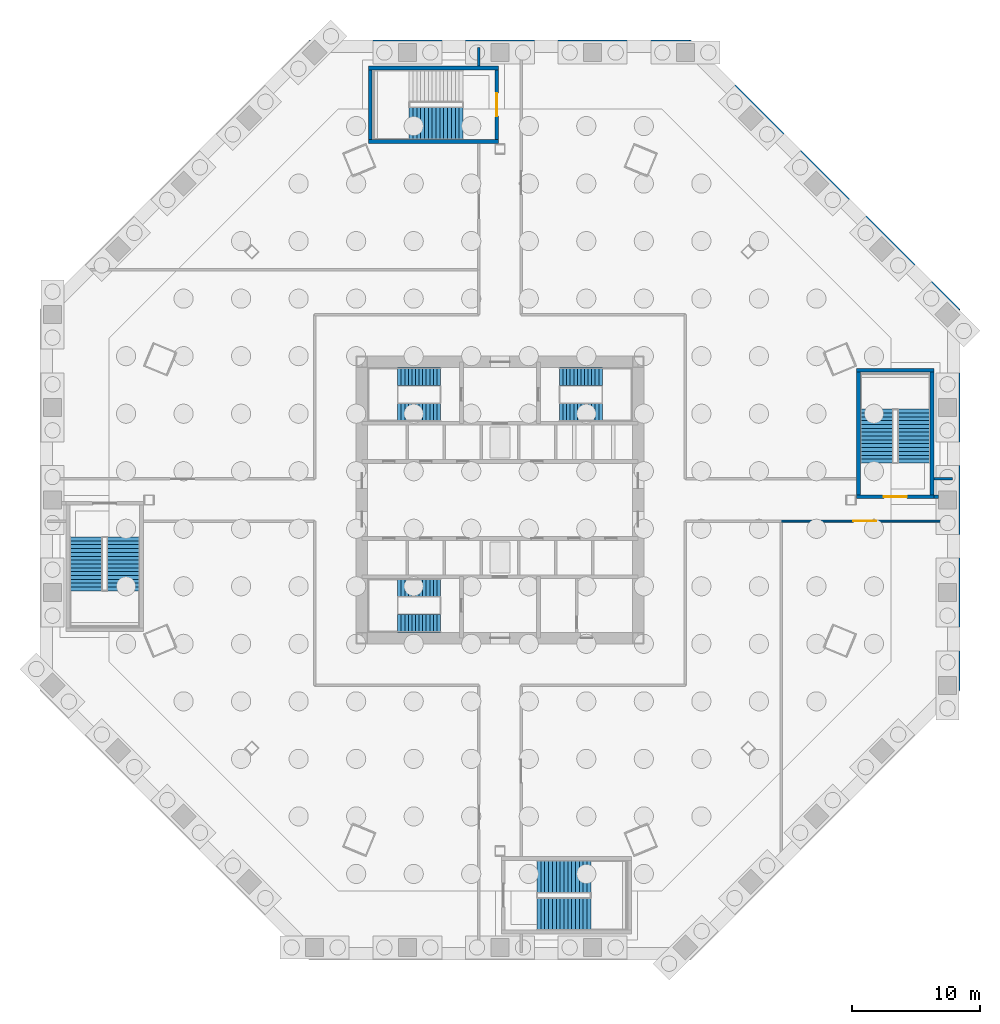
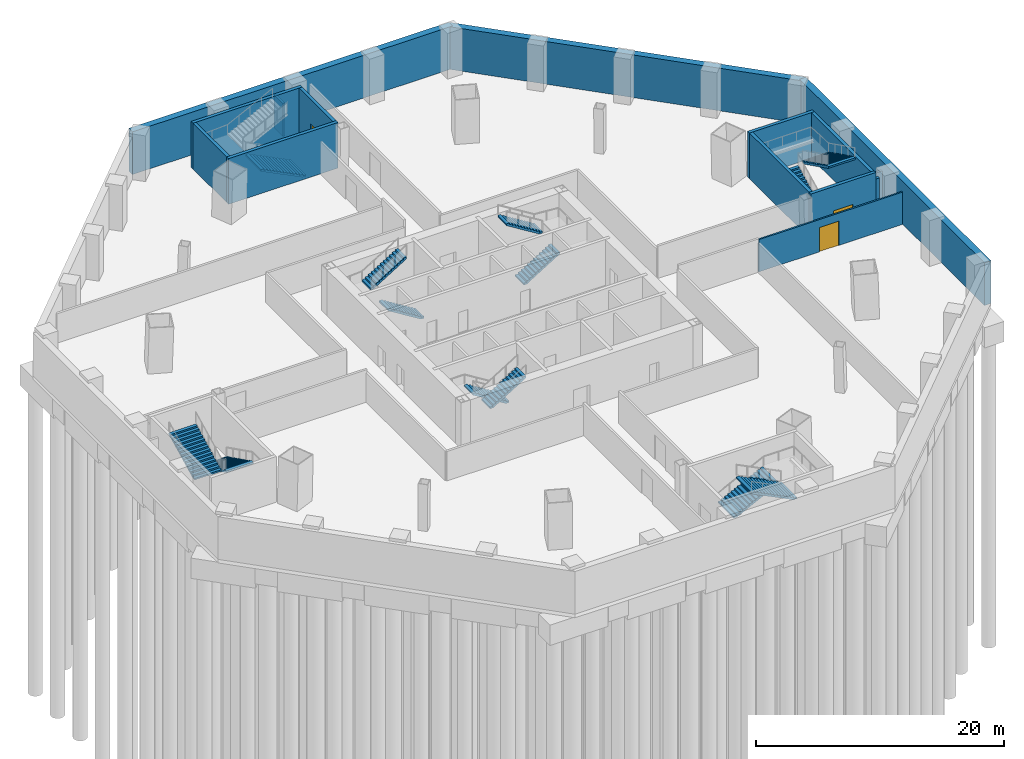
# One storey, part 6 of 11: 15 walls, 13 stair flights, 3 doors, 3 openings, 7 elements without a shape of their own.
"""IFC4 building model written with IfcOpenShell, lengths in metres."""

import ifcopenshell
import ifcopenshell.guid

model = None  # the IFC model being written
_history = None  # IfcOwnerHistory: only IFC2X3 demands one
_inside = {}  # id of a spatial element -> (the spatial element, [elements in it])
_under = {}  # id of a project, library or spatial element -> (it, [spatial elements below it])
_declared = {}  # id of a project -> (the project, [libraries it declares])
_typed = {}  # id of a type object -> (the type object, [elements of that type])
_made_of = {}  # id of a material, layer set ... -> (it, [elements and type objects made of it])


def new_model(schema):
    """Start an empty IFC model of exactly this schema.

    Asked for "IFC4X3", IfcOpenShell would pick the latest addendum, in which some entities
    have other attributes; the version numbers below select the first issue.
    IFC2X3 requires an IfcOwnerHistory on every rooted entity: one is made here for all.
    """
    global model, _history
    if schema == "IFC4X3":
        model = ifcopenshell.file(schema_version=(4, 3, 0, 0))
    else:
        model = ifcopenshell.file(schema=schema)
    _inside.clear()
    _under.clear()
    _declared.clear()
    _typed.clear()
    _made_of.clear()
    _history = None
    if model.schema == "IFC2X3":
        org = make("IfcOrganization", Name="unknown")
        user = make(
            "IfcPersonAndOrganization",
            ThePerson=make("IfcPerson", FamilyName="unknown"),
            TheOrganization=org,
        )
        app = make(
            "IfcApplication",
            ApplicationDeveloper=org,
            Version="unknown",
            ApplicationFullName="unknown",
            ApplicationIdentifier="unknown",
        )
        _history = make(
            "IfcOwnerHistory",
            OwningUser=user,
            OwningApplication=app,
            ChangeAction="ADDED",
            CreationDate=0,
        )
    return model


def make(cls, **values):
    """One entity of the class cls with the attributes given. An attribute that is None is left unset."""
    return model.create_entity(
        cls, **{name: value for name, value in values.items() if value is not None}
    )


def rooted(cls, **values):
    """An entity with a GlobalId (a new one), such as an element, a storey or a relation."""
    return make(cls, GlobalId=ifcopenshell.guid.new(), OwnerHistory=_history, **values)


def si_unit(unit_type, name, prefix=None):
    """IfcSIUnit, for example si_unit("LENGTHUNIT", "METRE", prefix="MILLI")."""
    return make("IfcSIUnit", UnitType=unit_type, Prefix=prefix, Name=name)


def assignment(units):
    """IfcUnitAssignment: the units of a project."""
    return None if units is None else make("IfcUnitAssignment", Units=units)


def point(xyz):
    """IfcCartesianPoint."""
    return None if xyz is None else make("IfcCartesianPoint", Coordinates=xyz)


def direction(xyz):
    """IfcDirection."""
    return None if xyz is None else make("IfcDirection", DirectionRatios=xyz)


def frame(location, z_axis=None, x_axis=None):
    """IfcAxis2Placement3D, a coordinate frame: its origin and axes. An axis left out is left unset."""
    return make(
        "IfcAxis2Placement3D",
        Location=point(location),
        Axis=direction(z_axis),
        RefDirection=direction(x_axis),
    )


def frame_2d(location, x_axis=None):
    """IfcAxis2Placement2D, a coordinate frame in the plane: its origin and x axis."""
    return make(
        "IfcAxis2Placement2D", Location=point(location), RefDirection=direction(x_axis)
    )


def origin():
    """The frame at (0, 0, 0) with its axes left unset."""
    return frame((0.0, 0.0, 0.0))


def place(relative_to, where):
    """IfcLocalPlacement: puts the frame where relative to a parent placement (None: the world)."""
    return make(
        "IfcLocalPlacement", PlacementRelTo=relative_to, RelativePlacement=where
    )


def context(
    kind, dimensions, precision=None, world=None, true_north=None, identifier=None
):
    """IfcGeometricRepresentationContext, for example the 3D "Model" context."""
    return make(
        "IfcGeometricRepresentationContext",
        ContextIdentifier=identifier,
        ContextType=kind,
        CoordinateSpaceDimension=dimensions,
        Precision=precision,
        WorldCoordinateSystem=world,
        TrueNorth=true_north,
    )


def subcontext(parent, identifier, kind, view, scale=None):
    """IfcGeometricRepresentationSubContext, for example "Body" below "Model"."""
    return make(
        "IfcGeometricRepresentationSubContext",
        ContextIdentifier=identifier,
        ContextType=kind,
        ParentContext=parent,
        TargetScale=scale,
        TargetView=view,
    )


def project(units=None, contexts=None):
    """IfcProject with its units and contexts."""
    return rooted(
        "IfcProject",
        Name="project",
        RepresentationContexts=contexts,
        UnitsInContext=assignment(units),
    )


def spatial(cls, under=None, at=None, **own):
    """A site, building, storey or space (cls), placed at a placement, below another one or the project."""
    s = rooted(cls, ObjectPlacement=at, **own)
    if under is not None:
        _under.setdefault(under.id(), (under, []))[1].append(s)
    return s


def polyline(points):
    """IfcPolyline through the points."""
    return make("IfcPolyline", Points=[point(p) for p in points])


def profile(cls, at=None, kind="AREA", **sizes):
    """A parametric profile (cls). Its sizes go by their IFC names, for example OverallWidth=200.0."""
    return make(cls, ProfileType=kind, Position=at, **sizes)


def rectangle(**sizes):
    """IfcRectangleProfileDef."""
    return profile("IfcRectangleProfileDef", **sizes)


def outline(outer, holes=None, kind="AREA"):
    """IfcArbitraryClosedProfileDef: a profile drawn as a closed curve; with holes, ...WithVoids."""
    if holes is None:
        return make("IfcArbitraryClosedProfileDef", ProfileType=kind, OuterCurve=outer)
    return make(
        "IfcArbitraryProfileDefWithVoids",
        ProfileType=kind,
        OuterCurve=outer,
        InnerCurves=holes,
    )


def extrude(swept, where, along, depth):
    """IfcExtrudedAreaSolid: the profile swept, set in the frame where, extruded along a direction by depth."""
    return make(
        "IfcExtrudedAreaSolid",
        SweptArea=swept,
        Position=where,
        ExtrudedDirection=direction(along),
        Depth=depth,
    )


def shape(context_of_items, identifier, shape_type, items):
    """IfcShapeRepresentation: the items that make up one representation, for example the "Body"."""
    return make(
        "IfcShapeRepresentation",
        ContextOfItems=context_of_items,
        RepresentationIdentifier=identifier,
        RepresentationType=shape_type,
        Items=items,
    )


def material(Name=None, Category=None):
    """IfcMaterial."""
    return make("IfcMaterial", Name=Name, Category=Category)


def layer(
    of_material, thickness, ventilated=None, Name=None, Category=None, Priority=None
):
    """IfcMaterialLayer: one layer of a wall or slab, of a material (None: an air gap)."""
    return make(
        "IfcMaterialLayer",
        Material=of_material,
        LayerThickness=thickness,
        IsVentilated=ventilated,
        Name=Name,
        Category=Category,
        Priority=Priority,
    )


def layer_set(layers, Name=None):
    """IfcMaterialLayerSet."""
    return make("IfcMaterialLayerSet", MaterialLayers=layers, LayerSetName=Name)


def made_of(thing, what):
    """Note that an element or type object is made of a material, layer set ...; save() writes the relation."""
    if what is not None:
        _made_of.setdefault(what.id(), (what, []))[1].append(thing)
    return thing


def type_object(cls, material=None, **own):
    """A type object (cls), such as IfcWallType, which elements share."""
    return made_of(rooted(cls, **own), material)


def element(
    cls,
    number,
    at=None,
    inside=None,
    cuts=None,
    type_object=None,
    material=None,
    context=None,
    identifier="Body",
    shape_type=None,
    held_by="IfcProductDefinitionShape",
    body=None,
    shapes=None,
    **own,
):
    """One element of the class cls, such as IfcWall. Its Tag is "e" and its number.

    at: its placement. inside: the storey or other place that contains it. cuts: it is an
    opening in that element (IfcRelVoidsElement). A single representation is given by context,
    identifier, shape_type and body (its items); several are given by shapes. held_by: the class
    of the entity that holds the representations. save() writes the other relations.
    """
    e = rooted(cls, Tag="e%d" % number, ObjectPlacement=at, **own)
    if body is not None:
        shapes = [shape(context, identifier, shape_type, body)]
    if shapes is not None:
        e.Representation = make(held_by, Representations=shapes)
    if inside is not None:
        _inside.setdefault(inside.id(), (inside, []))[1].append(e)
    if cuts is not None:
        rooted(
            "IfcRelVoidsElement", RelatingBuildingElement=cuts, RelatedOpeningElement=e
        )
    if type_object is not None:
        _typed.setdefault(type_object.id(), (type_object, []))[1].append(e)
    return made_of(e, material)


def fill(opening, filler):
    """IfcRelFillsElement: the door or window that sits in an opening."""
    return rooted(
        "IfcRelFillsElement",
        RelatingOpeningElement=opening,
        RelatedBuildingElement=filler,
    )


def aggregate(whole, parts):
    """IfcRelAggregates: a whole, such as a stair, and the parts it consists of."""
    return rooted("IfcRelAggregates", RelatingObject=whole, RelatedObjects=parts)


def save(model, path):
    """Write the relations noted so far, then the file.

    IfcRelAggregates (storeys below a building ...), IfcRelContainedInSpatialStructure (elements
    in a storey), IfcRelDefinesByType, IfcRelAssociatesMaterial and IfcRelDeclares: one each for
    every whole, place, type object, material and project.
    """
    for whole, parts in _under.values():
        aggregate(whole, parts)
    for where, things in _inside.values():
        rooted(
            "IfcRelContainedInSpatialStructure",
            RelatedElements=things,
            RelatingStructure=where,
        )
    for kind, things in _typed.values():
        rooted("IfcRelDefinesByType", RelatedObjects=things, RelatingType=kind)
    for what, things in _made_of.values():
        rooted("IfcRelAssociatesMaterial", RelatedObjects=things, RelatingMaterial=what)
    for by, libraries in _declared.values():
        rooted("IfcRelDeclares", RelatingContext=by, RelatedDefinitions=libraries)
    model.write(path)


model = new_model("IFC4")

# Units and contexts
model_context = context("Model", 3, precision=1e-05, world=origin(), true_north=direction((0.0, 1.0)))
body_context = subcontext(model_context, "Body", "Model", "MODEL_VIEW")
ifc_project = project(units=[si_unit("LENGTHUNIT", "METRE"), si_unit("AREAUNIT", "SQUARE_METRE"), si_unit("VOLUMEUNIT", "CUBIC_METRE"), si_unit("PLANEANGLEUNIT", "RADIAN"), si_unit("MASSUNIT", "GRAM", prefix="KILO")], contexts=[model_context])

# Site, building, storey
site_placement = place(None, origin())
site = spatial("IfcSite", under=ifc_project, at=site_placement, CompositionType="ELEMENT")
building_placement = place(site_placement, origin())
building = spatial("IfcBuilding", under=site, at=building_placement, Name="Mashrafa Tower", CompositionType="ELEMENT")
storey_placement = place(building_placement, frame((0.0, 0.0, -9.0)))
storey = spatial("IfcBuildingStorey", under=building, at=storey_placement, Name="B2", CompositionType="ELEMENT", Elevation=-9.0)

# Walls
ifc_material_1 = material(Name="Concrete C40/50", Category="concrete")
ifc_layer_1 = layer(ifc_material_1, 0.60009765625)
ifc_layer_set_1 = layer_set([ifc_layer_1], Name="Basement retaining wall 600")
wall_type_1 = type_object("IfcWallType", Name="Basement retaining wall 600", PredefinedType="SOLIDWALL", material=ifc_layer_set_1)
wall_1_placement = place(storey_placement, frame((35.699951171875, -14.91162109375, 0.0), z_axis=(0.0, 0.0, 1.0), x_axis=(0.0, 1.0, 0.0)))
element("IfcWall", 1, at=wall_1_placement, inside=storey, type_object=wall_type_1, Name="Basement retaining wall B2 east", PredefinedType="SOLIDWALL", context=body_context, shape_type="SweptSolid", body=[
    extrude(rectangle(XDim=29.8232421875, YDim=0.60009765625, at=frame_2d((14.91162109375, 0.0))), origin(), (0.0, 0.0, 1.0), 4.199951171875),
])
wall_2_placement = place(storey_placement, frame((35.787841796875, 14.699462890625, 0.0), z_axis=(0.0, 0.0, 1.0), x_axis=(-0.707106781187, 0.707106781187, 0.0)))
element("IfcWall", 2, at=wall_2_placement, inside=storey, type_object=wall_type_1, Name="Basement retaining wall B2 north-east", PredefinedType="SOLIDWALL", context=body_context, shape_type="SweptSolid", body=[
    extrude(rectangle(XDim=29.823486328125, YDim=0.60009765625, at=frame_2d((14.91162109375, 0.0))), origin(), (0.0, 0.0, 1.0), 4.199951171875),
])
wall_3_placement = place(storey_placement, frame((14.91162109375, 35.699951171875, 0.0), z_axis=(0.0, 0.0, 1.0), x_axis=(-1.0, 0.0, 0.0)))
element("IfcWall", 3, at=wall_3_placement, inside=storey, type_object=wall_type_1, Name="Basement retaining wall B2 north", PredefinedType="SOLIDWALL", context=body_context, shape_type="SweptSolid", body=[
    extrude(rectangle(XDim=29.8232421875, YDim=0.60009765625, at=frame_2d((14.91162109375, 0.0))), origin(), (0.0, 0.0, 1.0), 4.199951171875),
])
ifc_material_2 = material(Name="Concrete masonry unit", Category="masonry")
ifc_layer_2 = layer(ifc_material_2, 0.199951171875)
ifc_layer_set_2 = layer_set([ifc_layer_2], Name="Blockwork wall 200 2 hr")
wall_type_2 = type_object("IfcWallType", Name="Blockwork wall 200 2 hr", PredefinedType="PARTITIONING", material=ifc_layer_set_2)
for number, where, z_axis, x_axis, name in (
    (4, (35.39501953125, 1.64990234375, 0.0), (0.0, 0.0, 1.0), (-1.0, 0.0, 0.0), "Blockwork wall B2-005"),
    (5, (-1.64990234375, 35.39501953125, 0.0), (0.0, 0.0, 1.0), (0.0, -1.0, 0.0), "Blockwork wall B2-011"),
):
    element("IfcWall", number, at=place(storey_placement, frame(where, z_axis=z_axis, x_axis=x_axis)), inside=storey, type_object=wall_type_2, Name=name, PredefinedType="PARTITIONING", context=body_context, shape_type="SweptSolid", body=[
        extrude(rectangle(XDim=1.445556640625, YDim=0.199951171875, at=frame_2d((0.72265625, 0.0))), origin(), (0.0, 0.0, 1.0), 3.278076171875),
    ])

# Wall, opening, door
ifc_material_3 = material(Name="Gypsum board on steel studs", Category="steel")
ifc_layer_3 = layer(ifc_material_3, 0.14990234375)
ifc_layer_set_3 = layer_set([ifc_layer_3], Name="Corridor partition 150 1 hr")
wall_type_3 = type_object("IfcWallType", Name="Corridor partition 150 1 hr", PredefinedType="PARTITIONING", material=ifc_layer_set_3)
wall_4_placement = place(storey_placement, frame((21.9990234375, -1.64990234375, 0.0), z_axis=(0.0, 0.0, 1.0), x_axis=(1.0, 0.0, 0.0)))
wall_4 = element("IfcWall", 6, at=wall_4_placement, inside=storey, type_object=wall_type_3, Name="Corridor wall B2-022", PredefinedType="PARTITIONING", context=body_context, shape_type="SweptSolid", body=[
    extrude(rectangle(XDim=13.39599609375, YDim=0.14990234375, at=frame_2d((6.697998046875, 0.0))), origin(), (0.0, 0.0, 1.0), 3.17919921875),
])
opening_1_placement = place(wall_4_placement, frame((5.650390625, 0.0, 0.0)))
opening_1 = element("IfcOpeningElement", 7, at=opening_1_placement, cuts=wall_4, Name="Opening B2.006", PredefinedType="OPENING", context=body_context, shape_type="SweptSolid", body=[
    extrude(rectangle(XDim=1.800048828125, YDim=2.39990234375, at=frame_2d((0.89990234375, 1.199951171875))), frame((0.0, 0.0849609375, 0.0), z_axis=(0.0, -1.0, 0.0), x_axis=(1.0, 0.0, 0.0)), (0.0, 0.0, 1.0), 0.169921875),
])
ifc_material_4 = material(Name="Steel door", Category="steel")
door_type_1 = type_object("IfcDoorType", Name="Door pair 1800 x 2400 90 min", OperationType="DOUBLE_DOOR_SINGLE_SWING", PredefinedType="DOOR", material=ifc_material_4)
door_1_placement = place(opening_1_placement, frame((1.800048828125, 0.0, 0.0), z_axis=(0.0, 0.0, 1.0), x_axis=(-1.0, 0.0, 0.0)))
door_1 = element("IfcDoor", 8, at=door_1_placement, inside=storey, type_object=door_type_1, Name="Building Storage Room B2 door", OperationType="DOUBLE_DOOR_SINGLE_SWING", OverallHeight=2.39990234375, OverallWidth=1.800048828125, PredefinedType="DOOR", context=body_context, shape_type="SweptSolid", body=[
    extrude(rectangle(XDim=1.800048828125, YDim=2.39990234375, at=frame_2d((0.89990234375, 1.199951171875))), frame((0.0, 0.02490234375, 0.0), z_axis=(0.0, -1.0, 0.0), x_axis=(1.0, 0.0, 0.0)), (0.0, 0.0, 1.0), 0.050048828125),
])
fill(opening_1, door_1)

ifc_material_5 = material(Name="Concrete C35/45", Category="concrete")
ifc_layer_4 = layer(ifc_material_5, 0.300048828125)
ifc_layer_set_4 = layer_set([ifc_layer_4], Name="Stair core wall 300 3 hr")
wall_type_4 = type_object("IfcWallType", Name="Stair core wall 300 3 hr", PredefinedType="SOLIDWALL", material=ifc_layer_set_4)
wall_5_placement = place(storey_placement, frame((27.89990234375, 0.25, 0.0), z_axis=(0.0, 0.0, 1.0), x_axis=(1.0, 0.0, 0.0)))
wall_5 = element("IfcWall", 9, at=wall_5_placement, inside=storey, type_object=wall_type_4, Name="Stair P1 core wall S B2", PredefinedType="SOLIDWALL", context=body_context, shape_type="SweptSolid", body=[
    extrude(rectangle(XDim=6.050048828125, YDim=0.300048828125, at=frame_2d((3.02490234375, 0.0))), origin(), (0.0, 0.0, 1.0), 4.5),
])
opening_2_placement = place(wall_5_placement, frame((2.125, 0.0, 0.0)))
opening_2 = element("IfcOpeningElement", 10, at=opening_2_placement, cuts=wall_5, Name="Opening B2.028", PredefinedType="OPENING", context=body_context, shape_type="SweptSolid", body=[
    extrude(rectangle(XDim=1.800048828125, YDim=2.10009765625, at=frame_2d((0.89990234375, 1.050048828125))), frame((0.0, 0.159912109375, 0.0), z_axis=(0.0, -1.0, 0.0), x_axis=(1.0, 0.0, 0.0)), (0.0, 0.0, 1.0), 0.320068359375),
])
ifc_material_6 = material(Name="Steel door", Category="steel")
door_type_2 = type_object("IfcDoorType", Name="Stair door pair 1800 x 2100 90 min", OperationType="DOUBLE_DOOR_SINGLE_SWING", PredefinedType="DOOR", material=ifc_material_6)
door_2_placement = place(opening_2_placement, origin())
door_2 = element("IfcDoor", 11, at=door_2_placement, inside=storey, type_object=door_type_2, Name="Stair P1 door B2", OperationType="DOUBLE_DOOR_SINGLE_SWING", OverallHeight=2.10009765625, OverallWidth=1.800048828125, PredefinedType="DOOR", context=body_context, shape_type="SweptSolid", body=[
    extrude(rectangle(XDim=1.800048828125, YDim=2.10009765625, at=frame_2d((0.89990234375, 1.050048828125))), frame((0.0, 0.02490234375, 0.0), z_axis=(0.0, -1.0, 0.0), x_axis=(1.0, 0.0, 0.0)), (0.0, 0.0, 1.0), 0.050048828125),
])
fill(opening_2, door_2)

# Walls
wall_6_placement = place(storey_placement, frame((33.949951171875, 0.25, 0.0), z_axis=(0.0, 0.0, 1.0), x_axis=(1.0, 0.0, 0.0)))
element("IfcWall", 12, at=wall_6_placement, inside=storey, type_object=wall_type_4, Name="Stair P1 core wall S B2 end piece 2", PredefinedType="SOLIDWALL", context=body_context, shape_type="SweptSolid", body=[
    extrude(rectangle(XDim=0.35009765625, YDim=0.300048828125, at=frame_2d((0.175048828125, 0.0))), origin(), (0.0, 0.0, 1.0), 3.844482421875),
])
wall_7_placement = place(storey_placement, frame((33.949951171875, 10.14990234375, 0.0), z_axis=(0.0, 0.0, 1.0), x_axis=(-1.0, 0.0, 0.0)))
element("IfcWall", 13, at=wall_7_placement, inside=storey, type_object=wall_type_4, Name="Stair P1 core wall N B2", PredefinedType="SOLIDWALL", context=body_context, shape_type="SweptSolid", body=[
    extrude(rectangle(XDim=6.050048828125, YDim=0.300048828125, at=frame_2d((3.02490234375, 0.0))), origin(), (0.0, 0.0, 1.0), 4.5),
])
for number, where, z_axis, x_axis, name in (
    (14, (28.050048828125, 10.0, 0.0), (0.0, 0.0, 1.0), (0.0, -1.0, 0.0), "Stair P1 core wall W B2"),
    (15, (33.800048828125, 0.39990234375, 0.0), (0.0, 0.0, 1.0), (0.0, 1.0, 0.0), "Stair P1 core wall E B2"),
):
    element("IfcWall", number, at=place(storey_placement, frame(where, z_axis=z_axis, x_axis=x_axis)), inside=storey, type_object=wall_type_4, Name=name, PredefinedType="SOLIDWALL", context=body_context, shape_type="SweptSolid", body=[
        extrude(rectangle(XDim=9.60009765625, YDim=0.300048828125, at=frame_2d((4.800048828125, 0.0))), origin(), (0.0, 0.0, 1.0), 4.5),
    ])
for number, where, z_axis, x_axis, name in (
    (16, (-10.300048828125, 28.050048828125, 0.0), (0.0, 0.0, 1.0), (1.0, 0.0, 0.0), "Stair P2 core wall S B2"),
    (17, (-0.10009765625, 33.800048828125, 0.0), (0.0, 0.0, 1.0), (-1.0, 0.0, 0.0), "Stair P2 core wall N B2"),
):
    element("IfcWall", number, at=place(storey_placement, frame(where, z_axis=z_axis, x_axis=x_axis)), inside=storey, type_object=wall_type_4, Name=name, PredefinedType="SOLIDWALL", context=body_context, shape_type="SweptSolid", body=[
        extrude(rectangle(XDim=10.199951171875, YDim=0.300048828125, at=frame_2d((5.10009765625, 0.0))), origin(), (0.0, 0.0, 1.0), 4.5),
    ])
wall_8_placement = place(storey_placement, frame((-10.14990234375, 33.64990234375, 0.0), z_axis=(0.0, 0.0, 1.0), x_axis=(0.0, -1.0, 0.0)))
element("IfcWall", 18, at=wall_8_placement, inside=storey, type_object=wall_type_4, Name="Stair P2 core wall W B2", PredefinedType="SOLIDWALL", context=body_context, shape_type="SweptSolid", body=[
    extrude(rectangle(XDim=5.449951171875, YDim=0.300048828125, at=frame_2d((2.72509765625, 0.0))), origin(), (0.0, 0.0, 1.0), 4.5),
])

# Wall, opening, door
wall_9_placement = place(storey_placement, frame((-0.25, 28.199951171875, 0.0), z_axis=(0.0, 0.0, 1.0), x_axis=(0.0, 1.0, 0.0)))
wall_9 = element("IfcWall", 19, at=wall_9_placement, inside=storey, type_object=wall_type_4, Name="Stair P2 core wall E B2", PredefinedType="SOLIDWALL", context=body_context, shape_type="SweptSolid", body=[
    extrude(rectangle(XDim=5.449951171875, YDim=0.300048828125, at=frame_2d((2.72509765625, 0.0))), origin(), (0.0, 0.0, 1.0), 4.5),
])
opening_3_placement = place(wall_9_placement, frame((1.824951171875, 0.0, 0.0)))
opening_3 = element("IfcOpeningElement", 20, at=opening_3_placement, cuts=wall_9, Name="Opening B2.029", PredefinedType="OPENING", context=body_context, shape_type="SweptSolid", body=[
    extrude(rectangle(XDim=1.800048828125, YDim=2.10009765625, at=frame_2d((0.89990234375, 1.050048828125))), frame((0.0, 0.159912109375, 0.0), z_axis=(0.0, -1.0, 0.0), x_axis=(1.0, 0.0, 0.0)), (0.0, 0.0, 1.0), 0.320068359375),
])
door_3_placement = place(opening_3_placement, origin())
door_3 = element("IfcDoor", 21, at=door_3_placement, inside=storey, type_object=door_type_2, Name="Stair P2 door B2", OperationType="DOUBLE_DOOR_SINGLE_SWING", OverallHeight=2.10009765625, OverallWidth=1.800048828125, PredefinedType="DOOR", context=body_context, shape_type="SweptSolid", body=[
    extrude(rectangle(XDim=1.800048828125, YDim=2.10009765625, at=frame_2d((0.89990234375, 1.050048828125))), frame((0.0, 0.02490234375, 0.0), z_axis=(0.0, -1.0, 0.0), x_axis=(1.0, 0.0, 0.0)), (0.0, 0.0, 1.0), 0.050048828125),
])
fill(opening_3, door_3)

# Stair, stair flights
ifc_material_7 = material(Name="Exit stair 1400")
stair_type_1 = type_object("IfcStairType", Name="Exit stair 1400", PredefinedType="HALF_TURN_STAIR", material=ifc_material_7)
stair_1_placement = place(storey_placement, origin())
stair_1 = element("IfcStair", 22, at=stair_1_placement, inside=storey, type_object=stair_type_1, Name="Stair S1 B2", PredefinedType="HALF_TURN_STAIR")
ifc_material_8 = material(Name="Concrete C32/40", Category="concrete")
stair_flight_type_1 = type_object("IfcStairFlightType", Name="Stair flight 1400", PredefinedType="STRAIGHT", material=ifc_material_8)
stair_flight_1_placement = place(storey_placement, frame((-4.64990234375, 6.85009765625, 0.0), z_axis=(0.0, 0.0, 1.0), x_axis=(-1.0, 0.0, 0.0)))
stair_flight_1 = element("IfcStairFlight", 23, at=stair_flight_1_placement, type_object=stair_flight_type_1, Name="S1 flight 1", NumberOfRisers=13, NumberOfTreads=12, PredefinedType="STRAIGHT", RiserHeight=0.173076923, TreadLength=0.28, context=body_context, shape_type="SweptSolid", body=[
    extrude(outline(polyline([(0.0, 0.0), (0.0, 0.173095703125), (0.280029296875, 0.173095703125), (0.280029296875, 0.34619140625), (0.56005859375, 0.34619140625), (0.56005859375, 0.519287109375), (0.840087890625, 0.519287109375), (0.840087890625, 0.6923828125), (1.1201171875, 0.6923828125), (1.1201171875, 0.865478515625), (1.39990234375, 0.865478515625), (1.39990234375, 1.03857421875), (1.679931640625, 1.03857421875), (1.679931640625, 1.21142578125), (1.9599609375, 1.21142578125), (1.9599609375, 1.384521484375), (2.239990234375, 1.384521484375), (2.239990234375, 1.5576171875), (2.52001953125, 1.5576171875), (2.52001953125, 1.730712890625), (2.800048828125, 1.730712890625), (2.800048828125, 1.90380859375), (3.080078125, 1.90380859375), (3.080078125, 2.076904296875), (3.360107421875, 2.076904296875), (3.360107421875, 2.25), (3.360107421875, 1.900634765625), (0.28515625, 0.0), (0.0, 0.0)])), frame((0.0, 0.699951171875, 0.0), z_axis=(0.0, -1.0, 0.0), x_axis=(1.0, 0.0, 0.0)), (0.0, 0.0, 1.0), 1.39990234375),
])
stair_flight_2_placement = place(storey_placement, frame((-8.010009765625, 9.64990234375, 2.25), z_axis=(0.0, 0.0, 1.0), x_axis=(1.0, 0.0, 0.0)))
stair_flight_2 = element("IfcStairFlight", 24, at=stair_flight_2_placement, type_object=stair_flight_type_1, Name="S1 flight 2", NumberOfRisers=13, NumberOfTreads=12, PredefinedType="STRAIGHT", RiserHeight=0.173076923, TreadLength=0.28, context=body_context, shape_type="SweptSolid", body=[
    extrude(outline(polyline([(0.0, 0.0), (0.0, 0.173095703125), (0.280029296875, 0.173095703125), (0.280029296875, 0.34619140625), (0.56005859375, 0.34619140625), (0.56005859375, 0.519287109375), (0.840087890625, 0.519287109375), (0.840087890625, 0.6923828125), (1.1201171875, 0.6923828125), (1.1201171875, 0.865478515625), (1.39990234375, 0.865478515625), (1.39990234375, 1.03857421875), (1.679931640625, 1.03857421875), (1.679931640625, 1.21142578125), (1.9599609375, 1.21142578125), (1.9599609375, 1.384521484375), (2.239990234375, 1.384521484375), (2.239990234375, 1.5576171875), (2.52001953125, 1.5576171875), (2.52001953125, 1.730712890625), (2.800048828125, 1.730712890625), (2.800048828125, 1.90380859375), (3.080078125, 1.90380859375), (3.080078125, 2.076904296875), (3.360107421875, 2.076904296875), (3.360107421875, 2.25), (3.360107421875, 1.900634765625), (0.28515625, 0.0), (0.0, 0.0)])), frame((0.0, 0.699951171875, 0.0), z_axis=(0.0, -1.0, 0.0), x_axis=(1.0, 0.0, 0.0)), (0.0, 0.0, 1.0), 1.39990234375),
])
aggregate(stair_1, [stair_flight_1, stair_flight_2])

stair_2_placement = place(storey_placement, origin())
stair_2 = element("IfcStair", 25, at=stair_2_placement, inside=storey, type_object=stair_type_1, Name="Stair S2 B2", PredefinedType="HALF_TURN_STAIR")
stair_flight_3_placement = place(storey_placement, frame((4.64990234375, 6.85009765625, 0.0), z_axis=(0.0, 0.0, 1.0), x_axis=(1.0, 0.0, 0.0)))
stair_flight_3 = element("IfcStairFlight", 26, at=stair_flight_3_placement, type_object=stair_flight_type_1, Name="S2 flight 1", NumberOfRisers=13, NumberOfTreads=12, PredefinedType="STRAIGHT", RiserHeight=0.173076923, TreadLength=0.28, context=body_context, shape_type="SweptSolid", body=[
    extrude(outline(polyline([(0.0, 0.0), (0.0, 0.173095703125), (0.280029296875, 0.173095703125), (0.280029296875, 0.34619140625), (0.56005859375, 0.34619140625), (0.56005859375, 0.519287109375), (0.840087890625, 0.519287109375), (0.840087890625, 0.6923828125), (1.1201171875, 0.6923828125), (1.1201171875, 0.865478515625), (1.39990234375, 0.865478515625), (1.39990234375, 1.03857421875), (1.679931640625, 1.03857421875), (1.679931640625, 1.21142578125), (1.9599609375, 1.21142578125), (1.9599609375, 1.384521484375), (2.239990234375, 1.384521484375), (2.239990234375, 1.5576171875), (2.52001953125, 1.5576171875), (2.52001953125, 1.730712890625), (2.800048828125, 1.730712890625), (2.800048828125, 1.90380859375), (3.080078125, 1.90380859375), (3.080078125, 2.076904296875), (3.360107421875, 2.076904296875), (3.360107421875, 2.25), (3.360107421875, 1.900634765625), (0.28515625, 0.0), (0.0, 0.0)])), frame((0.0, 0.699951171875, 0.0), z_axis=(0.0, -1.0, 0.0), x_axis=(1.0, 0.0, 0.0)), (0.0, 0.0, 1.0), 1.39990234375),
])
stair_flight_4_placement = place(storey_placement, frame((8.010009765625, 9.64990234375, 2.25), z_axis=(0.0, 0.0, 1.0), x_axis=(-1.0, 0.0, 0.0)))
stair_flight_4 = element("IfcStairFlight", 27, at=stair_flight_4_placement, type_object=stair_flight_type_1, Name="S2 flight 2", NumberOfRisers=13, NumberOfTreads=12, PredefinedType="STRAIGHT", RiserHeight=0.173076923, TreadLength=0.28, context=body_context, shape_type="SweptSolid", body=[
    extrude(outline(polyline([(0.0, 0.0), (0.0, 0.173095703125), (0.280029296875, 0.173095703125), (0.280029296875, 0.34619140625), (0.56005859375, 0.34619140625), (0.56005859375, 0.519287109375), (0.840087890625, 0.519287109375), (0.840087890625, 0.6923828125), (1.1201171875, 0.6923828125), (1.1201171875, 0.865478515625), (1.39990234375, 0.865478515625), (1.39990234375, 1.03857421875), (1.679931640625, 1.03857421875), (1.679931640625, 1.21142578125), (1.9599609375, 1.21142578125), (1.9599609375, 1.384521484375), (2.239990234375, 1.384521484375), (2.239990234375, 1.5576171875), (2.52001953125, 1.5576171875), (2.52001953125, 1.730712890625), (2.800048828125, 1.730712890625), (2.800048828125, 1.90380859375), (3.080078125, 1.90380859375), (3.080078125, 2.076904296875), (3.360107421875, 2.076904296875), (3.360107421875, 2.25), (3.360107421875, 1.900634765625), (0.28515625, 0.0), (0.0, 0.0)])), frame((0.0, 0.699951171875, 0.0), z_axis=(0.0, -1.0, 0.0), x_axis=(1.0, 0.0, 0.0)), (0.0, 0.0, 1.0), 1.39990234375),
])
aggregate(stair_2, [stair_flight_3, stair_flight_4])

stair_3_placement = place(storey_placement, origin())
stair_3 = element("IfcStair", 28, at=stair_3_placement, inside=storey, type_object=stair_type_1, Name="Stair S3 B2", PredefinedType="HALF_TURN_STAIR")
stair_flight_5_placement = place(storey_placement, frame((-4.64990234375, -6.85009765625, 0.0), z_axis=(0.0, 0.0, 1.0), x_axis=(-1.0, 0.0, 0.0)))
stair_flight_5 = element("IfcStairFlight", 29, at=stair_flight_5_placement, type_object=stair_flight_type_1, Name="S3 flight 1", NumberOfRisers=13, NumberOfTreads=12, PredefinedType="STRAIGHT", RiserHeight=0.173076923, TreadLength=0.28, context=body_context, shape_type="SweptSolid", body=[
    extrude(outline(polyline([(0.0, 0.0), (0.0, 0.173095703125), (0.280029296875, 0.173095703125), (0.280029296875, 0.34619140625), (0.56005859375, 0.34619140625), (0.56005859375, 0.519287109375), (0.840087890625, 0.519287109375), (0.840087890625, 0.6923828125), (1.1201171875, 0.6923828125), (1.1201171875, 0.865478515625), (1.39990234375, 0.865478515625), (1.39990234375, 1.03857421875), (1.679931640625, 1.03857421875), (1.679931640625, 1.21142578125), (1.9599609375, 1.21142578125), (1.9599609375, 1.384521484375), (2.239990234375, 1.384521484375), (2.239990234375, 1.5576171875), (2.52001953125, 1.5576171875), (2.52001953125, 1.730712890625), (2.800048828125, 1.730712890625), (2.800048828125, 1.90380859375), (3.080078125, 1.90380859375), (3.080078125, 2.076904296875), (3.360107421875, 2.076904296875), (3.360107421875, 2.25), (3.360107421875, 1.900634765625), (0.28515625, 0.0), (0.0, 0.0)])), frame((0.0, 0.699951171875, 0.0), z_axis=(0.0, -1.0, 0.0), x_axis=(1.0, 0.0, 0.0)), (0.0, 0.0, 1.0), 1.39990234375),
])
stair_flight_6_placement = place(storey_placement, frame((-8.010009765625, -9.64990234375, 2.25), z_axis=(0.0, 0.0, 1.0), x_axis=(1.0, 0.0, 0.0)))
stair_flight_6 = element("IfcStairFlight", 30, at=stair_flight_6_placement, type_object=stair_flight_type_1, Name="S3 flight 2", NumberOfRisers=13, NumberOfTreads=12, PredefinedType="STRAIGHT", RiserHeight=0.173076923, TreadLength=0.28, context=body_context, shape_type="SweptSolid", body=[
    extrude(outline(polyline([(0.0, 0.0), (0.0, 0.173095703125), (0.280029296875, 0.173095703125), (0.280029296875, 0.34619140625), (0.56005859375, 0.34619140625), (0.56005859375, 0.519287109375), (0.840087890625, 0.519287109375), (0.840087890625, 0.6923828125), (1.1201171875, 0.6923828125), (1.1201171875, 0.865478515625), (1.39990234375, 0.865478515625), (1.39990234375, 1.03857421875), (1.679931640625, 1.03857421875), (1.679931640625, 1.21142578125), (1.9599609375, 1.21142578125), (1.9599609375, 1.384521484375), (2.239990234375, 1.384521484375), (2.239990234375, 1.5576171875), (2.52001953125, 1.5576171875), (2.52001953125, 1.730712890625), (2.800048828125, 1.730712890625), (2.800048828125, 1.90380859375), (3.080078125, 1.90380859375), (3.080078125, 2.076904296875), (3.360107421875, 2.076904296875), (3.360107421875, 2.25), (3.360107421875, 1.900634765625), (0.28515625, 0.0), (0.0, 0.0)])), frame((0.0, 0.699951171875, 0.0), z_axis=(0.0, -1.0, 0.0), x_axis=(1.0, 0.0, 0.0)), (0.0, 0.0, 1.0), 1.39990234375),
])
aggregate(stair_3, [stair_flight_5, stair_flight_6])

ifc_material_9 = material(Name="Exit stair 2500")
stair_type_2 = type_object("IfcStairType", Name="Exit stair 2500", PredefinedType="HALF_TURN_STAIR", material=ifc_material_9)
stair_4_placement = place(storey_placement, origin())
stair_4 = element("IfcStair", 31, at=stair_4_placement, inside=storey, type_object=stair_type_2, Name="Stair P1 B2", PredefinedType="HALF_TURN_STAIR")
ifc_material_10 = material(Name="Concrete C32/40", Category="concrete")
stair_flight_type_2 = type_object("IfcStairFlightType", Name="Stair flight 2500", PredefinedType="STRAIGHT", material=ifc_material_10)
stair_flight_7_placement = place(storey_placement, frame((29.449951171875, 2.89990234375, 0.0), z_axis=(0.0, 0.0, 1.0), x_axis=(0.0, 1.0, 0.0)))
stair_flight_7 = element("IfcStairFlight", 32, at=stair_flight_7_placement, type_object=stair_flight_type_2, Name="P1 flight 1", NumberOfRisers=15, NumberOfTreads=14, PredefinedType="STRAIGHT", RiserHeight=0.15, TreadLength=0.3, context=body_context, shape_type="SweptSolid", body=[
    extrude(outline(polyline([(0.0, 0.0), (0.0, 0.14990234375), (0.300048828125, 0.14990234375), (0.300048828125, 0.300048828125), (0.60009765625, 0.300048828125), (0.60009765625, 0.449951171875), (0.89990234375, 0.449951171875), (0.89990234375, 0.60009765625), (1.199951171875, 0.60009765625), (1.199951171875, 0.75), (1.5, 0.75), (1.5, 0.89990234375), (1.800048828125, 0.89990234375), (1.800048828125, 1.050048828125), (2.10009765625, 1.050048828125), (2.10009765625, 1.199951171875), (2.39990234375, 1.199951171875), (2.39990234375, 1.35009765625), (2.699951171875, 1.35009765625), (2.699951171875, 1.5), (3.0, 1.5), (3.0, 1.64990234375), (3.300048828125, 1.64990234375), (3.300048828125, 1.800048828125), (3.60009765625, 1.800048828125), (3.60009765625, 1.949951171875), (3.89990234375, 1.949951171875), (3.89990234375, 2.10009765625), (4.199951171875, 2.10009765625), (4.199951171875, 2.25), (4.199951171875, 1.932373046875), (0.335205078125, 0.0), (0.0, 0.0)])), frame((0.0, 1.25, 0.0), z_axis=(0.0, -1.0, 0.0), x_axis=(1.0, 0.0, 0.0)), (0.0, 0.0, 1.0), 2.5),
])
stair_flight_8_placement = place(storey_placement, frame((32.39990234375, 7.10009765625, 2.25), z_axis=(0.0, 0.0, 1.0), x_axis=(0.0, -1.0, 0.0)))
stair_flight_8 = element("IfcStairFlight", 33, at=stair_flight_8_placement, type_object=stair_flight_type_2, Name="P1 flight 2", NumberOfRisers=15, NumberOfTreads=14, PredefinedType="STRAIGHT", RiserHeight=0.15, TreadLength=0.3, context=body_context, shape_type="SweptSolid", body=[
    extrude(outline(polyline([(0.0, 0.0), (0.0, 0.14990234375), (0.300048828125, 0.14990234375), (0.300048828125, 0.300048828125), (0.60009765625, 0.300048828125), (0.60009765625, 0.449951171875), (0.89990234375, 0.449951171875), (0.89990234375, 0.60009765625), (1.199951171875, 0.60009765625), (1.199951171875, 0.75), (1.5, 0.75), (1.5, 0.89990234375), (1.800048828125, 0.89990234375), (1.800048828125, 1.050048828125), (2.10009765625, 1.050048828125), (2.10009765625, 1.199951171875), (2.39990234375, 1.199951171875), (2.39990234375, 1.35009765625), (2.699951171875, 1.35009765625), (2.699951171875, 1.5), (3.0, 1.5), (3.0, 1.64990234375), (3.300048828125, 1.64990234375), (3.300048828125, 1.800048828125), (3.60009765625, 1.800048828125), (3.60009765625, 1.949951171875), (3.89990234375, 1.949951171875), (3.89990234375, 2.10009765625), (4.199951171875, 2.10009765625), (4.199951171875, 2.25), (4.199951171875, 1.932373046875), (0.335205078125, 0.0), (0.0, 0.0)])), frame((0.0, 1.25, 0.0), z_axis=(0.0, -1.0, 0.0), x_axis=(1.0, 0.0, 0.0)), (0.0, 0.0, 1.0), 2.5),
])
aggregate(stair_4, [stair_flight_7, stair_flight_8])

# Stair, stair flight
stair_5_placement = place(storey_placement, origin())
stair_5 = element("IfcStair", 34, at=stair_5_placement, inside=storey, type_object=stair_type_2, Name="Stair P2 B2", PredefinedType="HALF_TURN_STAIR")
stair_flight_9_placement = place(storey_placement, frame((-2.89990234375, 29.449951171875, 0.0), z_axis=(0.0, 0.0, 1.0), x_axis=(-1.0, 0.0, 0.0)))
stair_flight_9 = element("IfcStairFlight", 35, at=stair_flight_9_placement, type_object=stair_flight_type_2, Name="P2 flight 1", NumberOfRisers=15, NumberOfTreads=14, PredefinedType="STRAIGHT", RiserHeight=0.15, TreadLength=0.3, context=body_context, shape_type="SweptSolid", body=[
    extrude(outline(polyline([(0.0, 0.0), (0.0, 0.14990234375), (0.300048828125, 0.14990234375), (0.300048828125, 0.300048828125), (0.60009765625, 0.300048828125), (0.60009765625, 0.449951171875), (0.89990234375, 0.449951171875), (0.89990234375, 0.60009765625), (1.199951171875, 0.60009765625), (1.199951171875, 0.75), (1.5, 0.75), (1.5, 0.89990234375), (1.800048828125, 0.89990234375), (1.800048828125, 1.050048828125), (2.10009765625, 1.050048828125), (2.10009765625, 1.199951171875), (2.39990234375, 1.199951171875), (2.39990234375, 1.35009765625), (2.699951171875, 1.35009765625), (2.699951171875, 1.5), (3.0, 1.5), (3.0, 1.64990234375), (3.300048828125, 1.64990234375), (3.300048828125, 1.800048828125), (3.60009765625, 1.800048828125), (3.60009765625, 1.949951171875), (3.89990234375, 1.949951171875), (3.89990234375, 2.10009765625), (4.199951171875, 2.10009765625), (4.199951171875, 2.25), (4.199951171875, 1.932373046875), (0.335205078125, 0.0), (0.0, 0.0)])), frame((0.0, 1.25, 0.0), z_axis=(0.0, -1.0, 0.0), x_axis=(1.0, 0.0, 0.0)), (0.0, 0.0, 1.0), 2.5),
])
aggregate(stair_5, [stair_flight_9])

# Stair, stair flights
stair_6_placement = place(storey_placement, origin())
stair_6 = element("IfcStair", 36, at=stair_6_placement, inside=storey, type_object=stair_type_2, Name="Stair P3 B2", PredefinedType="HALF_TURN_STAIR")
stair_flight_10_placement = place(storey_placement, frame((-29.449951171875, -2.89990234375, 0.0), z_axis=(0.0, 0.0, 1.0), x_axis=(0.0, -1.0, 0.0)))
stair_flight_10 = element("IfcStairFlight", 37, at=stair_flight_10_placement, type_object=stair_flight_type_2, Name="P3 flight 1", NumberOfRisers=15, NumberOfTreads=14, PredefinedType="STRAIGHT", RiserHeight=0.15, TreadLength=0.3, context=body_context, shape_type="SweptSolid", body=[
    extrude(outline(polyline([(0.0, 0.0), (0.0, 0.14990234375), (0.300048828125, 0.14990234375), (0.300048828125, 0.300048828125), (0.60009765625, 0.300048828125), (0.60009765625, 0.449951171875), (0.89990234375, 0.449951171875), (0.89990234375, 0.60009765625), (1.199951171875, 0.60009765625), (1.199951171875, 0.75), (1.5, 0.75), (1.5, 0.89990234375), (1.800048828125, 0.89990234375), (1.800048828125, 1.050048828125), (2.10009765625, 1.050048828125), (2.10009765625, 1.199951171875), (2.39990234375, 1.199951171875), (2.39990234375, 1.35009765625), (2.699951171875, 1.35009765625), (2.699951171875, 1.5), (3.0, 1.5), (3.0, 1.64990234375), (3.300048828125, 1.64990234375), (3.300048828125, 1.800048828125), (3.60009765625, 1.800048828125), (3.60009765625, 1.949951171875), (3.89990234375, 1.949951171875), (3.89990234375, 2.10009765625), (4.199951171875, 2.10009765625), (4.199951171875, 2.25), (4.199951171875, 1.932373046875), (0.335205078125, 0.0), (0.0, 0.0)])), frame((0.0, 1.25, 0.0), z_axis=(0.0, -1.0, 0.0), x_axis=(1.0, 0.0, 0.0)), (0.0, 0.0, 1.0), 2.5),
])
stair_flight_11_placement = place(storey_placement, frame((-32.39990234375, -7.10009765625, 2.25), z_axis=(0.0, 0.0, 1.0), x_axis=(0.0, 1.0, 0.0)))
stair_flight_11 = element("IfcStairFlight", 38, at=stair_flight_11_placement, type_object=stair_flight_type_2, Name="P3 flight 2", NumberOfRisers=15, NumberOfTreads=14, PredefinedType="STRAIGHT", RiserHeight=0.15, TreadLength=0.3, context=body_context, shape_type="SweptSolid", body=[
    extrude(outline(polyline([(0.0, 0.0), (0.0, 0.14990234375), (0.300048828125, 0.14990234375), (0.300048828125, 0.300048828125), (0.60009765625, 0.300048828125), (0.60009765625, 0.449951171875), (0.89990234375, 0.449951171875), (0.89990234375, 0.60009765625), (1.199951171875, 0.60009765625), (1.199951171875, 0.75), (1.5, 0.75), (1.5, 0.89990234375), (1.800048828125, 0.89990234375), (1.800048828125, 1.050048828125), (2.10009765625, 1.050048828125), (2.10009765625, 1.199951171875), (2.39990234375, 1.199951171875), (2.39990234375, 1.35009765625), (2.699951171875, 1.35009765625), (2.699951171875, 1.5), (3.0, 1.5), (3.0, 1.64990234375), (3.300048828125, 1.64990234375), (3.300048828125, 1.800048828125), (3.60009765625, 1.800048828125), (3.60009765625, 1.949951171875), (3.89990234375, 1.949951171875), (3.89990234375, 2.10009765625), (4.199951171875, 2.10009765625), (4.199951171875, 2.25), (4.199951171875, 1.932373046875), (0.335205078125, 0.0), (0.0, 0.0)])), frame((0.0, 1.25, 0.0), z_axis=(0.0, -1.0, 0.0), x_axis=(1.0, 0.0, 0.0)), (0.0, 0.0, 1.0), 2.5),
])
aggregate(stair_6, [stair_flight_10, stair_flight_11])

stair_7_placement = place(storey_placement, origin())
stair_7 = element("IfcStair", 39, at=stair_7_placement, inside=storey, type_object=stair_type_2, Name="Stair P4 B2", PredefinedType="HALF_TURN_STAIR")
stair_flight_12_placement = place(storey_placement, frame((2.89990234375, -29.449951171875, 0.0), z_axis=(0.0, 0.0, 1.0), x_axis=(1.0, 0.0, 0.0)))
stair_flight_12 = element("IfcStairFlight", 40, at=stair_flight_12_placement, type_object=stair_flight_type_2, Name="P4 flight 1", NumberOfRisers=15, NumberOfTreads=14, PredefinedType="STRAIGHT", RiserHeight=0.15, TreadLength=0.3, context=body_context, shape_type="SweptSolid", body=[
    extrude(outline(polyline([(0.0, 0.0), (0.0, 0.14990234375), (0.300048828125, 0.14990234375), (0.300048828125, 0.300048828125), (0.60009765625, 0.300048828125), (0.60009765625, 0.449951171875), (0.89990234375, 0.449951171875), (0.89990234375, 0.60009765625), (1.199951171875, 0.60009765625), (1.199951171875, 0.75), (1.5, 0.75), (1.5, 0.89990234375), (1.800048828125, 0.89990234375), (1.800048828125, 1.050048828125), (2.10009765625, 1.050048828125), (2.10009765625, 1.199951171875), (2.39990234375, 1.199951171875), (2.39990234375, 1.35009765625), (2.699951171875, 1.35009765625), (2.699951171875, 1.5), (3.0, 1.5), (3.0, 1.64990234375), (3.300048828125, 1.64990234375), (3.300048828125, 1.800048828125), (3.60009765625, 1.800048828125), (3.60009765625, 1.949951171875), (3.89990234375, 1.949951171875), (3.89990234375, 2.10009765625), (4.199951171875, 2.10009765625), (4.199951171875, 2.25), (4.199951171875, 1.932373046875), (0.335205078125, 0.0), (0.0, 0.0)])), frame((0.0, 1.25, 0.0), z_axis=(0.0, -1.0, 0.0), x_axis=(1.0, 0.0, 0.0)), (0.0, 0.0, 1.0), 2.5),
])
stair_flight_13_placement = place(storey_placement, frame((7.10009765625, -32.39990234375, 2.25), z_axis=(0.0, 0.0, 1.0), x_axis=(-1.0, 0.0, 0.0)))
stair_flight_13 = element("IfcStairFlight", 41, at=stair_flight_13_placement, type_object=stair_flight_type_2, Name="P4 flight 2", NumberOfRisers=15, NumberOfTreads=14, PredefinedType="STRAIGHT", RiserHeight=0.15, TreadLength=0.3, context=body_context, shape_type="SweptSolid", body=[
    extrude(outline(polyline([(0.0, 0.0), (0.0, 0.14990234375), (0.300048828125, 0.14990234375), (0.300048828125, 0.300048828125), (0.60009765625, 0.300048828125), (0.60009765625, 0.449951171875), (0.89990234375, 0.449951171875), (0.89990234375, 0.60009765625), (1.199951171875, 0.60009765625), (1.199951171875, 0.75), (1.5, 0.75), (1.5, 0.89990234375), (1.800048828125, 0.89990234375), (1.800048828125, 1.050048828125), (2.10009765625, 1.050048828125), (2.10009765625, 1.199951171875), (2.39990234375, 1.199951171875), (2.39990234375, 1.35009765625), (2.699951171875, 1.35009765625), (2.699951171875, 1.5), (3.0, 1.5), (3.0, 1.64990234375), (3.300048828125, 1.64990234375), (3.300048828125, 1.800048828125), (3.60009765625, 1.800048828125), (3.60009765625, 1.949951171875), (3.89990234375, 1.949951171875), (3.89990234375, 2.10009765625), (4.199951171875, 2.10009765625), (4.199951171875, 2.25), (4.199951171875, 1.932373046875), (0.335205078125, 0.0), (0.0, 0.0)])), frame((0.0, 1.25, 0.0), z_axis=(0.0, -1.0, 0.0), x_axis=(1.0, 0.0, 0.0)), (0.0, 0.0, 1.0), 2.5),
])
aggregate(stair_7, [stair_flight_12, stair_flight_13])

save(model, "model.ifc")
